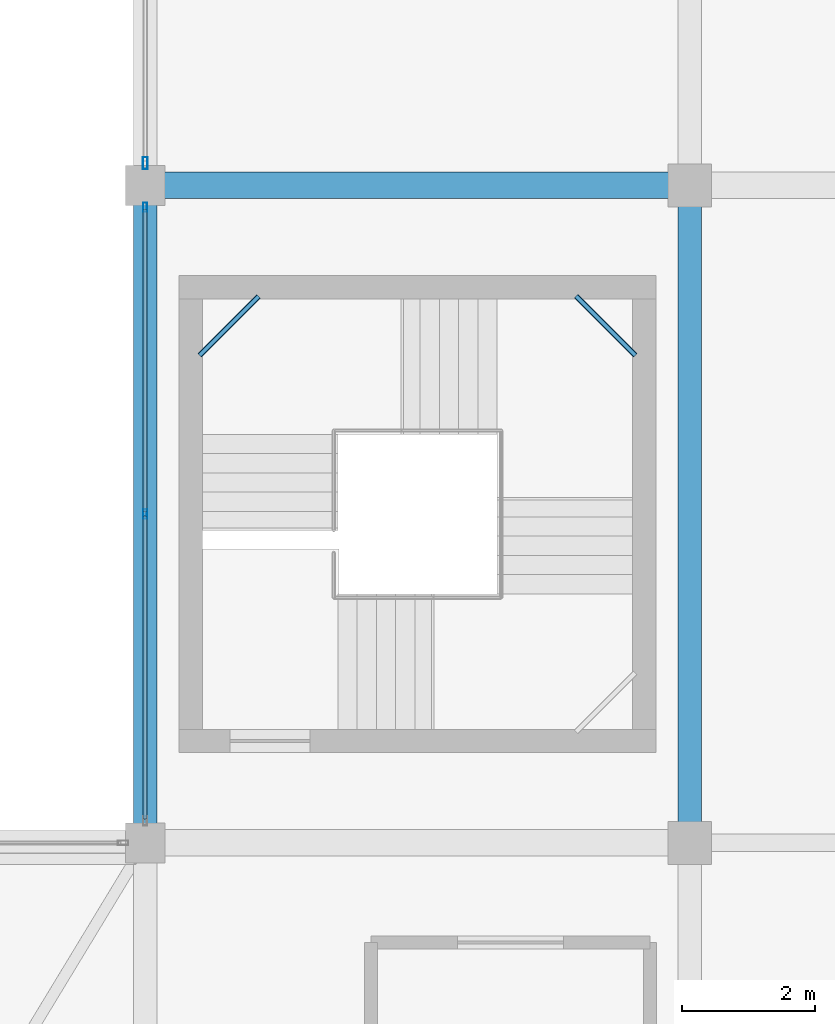
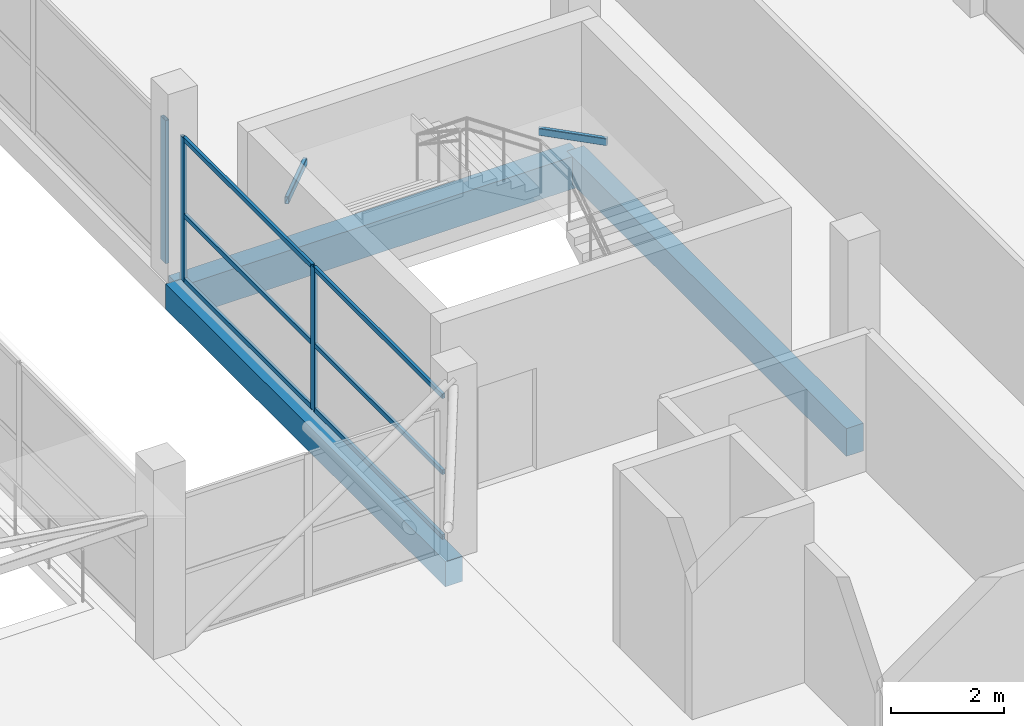
# One storey, part 35 of 66: 9 members, 5 beams, 2 elements without a shape of their own.
"""IFC4 building model written with IfcOpenShell, lengths in metres."""

from ifc_helpers import new_model, si_unit, direction, frame, origin, origin_2d, place, context, subcontext, project, spatial, rectangle, hollow_rectangle, extrude, material, layer, layer_set, material_profile, profile_set, type_object, element, aggregate, save


model = new_model("IFC4")

# Units and contexts
model_context = context("Model", 3, precision=1e-05, world=origin(), true_north=direction((0.0, 1.0)))
body_context = subcontext(model_context, "Body", "Model", "MODEL_VIEW")
ifc_project = project(units=[si_unit("LENGTHUNIT", "METRE"), si_unit("AREAUNIT", "SQUARE_METRE"), si_unit("VOLUMEUNIT", "CUBIC_METRE"), si_unit("PLANEANGLEUNIT", "RADIAN"), si_unit("MASSUNIT", "GRAM", prefix="KILO")], contexts=[model_context])

# Site, building, storey
site_placement = place(None, origin())
site = spatial("IfcSite", under=ifc_project, at=site_placement, CompositionType="ELEMENT")
building_placement = place(site_placement, origin())
building = spatial("IfcBuilding", under=site, at=building_placement, Name="Sillaruma Civic Art Gallery", CompositionType="ELEMENT")
storey_placement = place(building_placement, frame((0.0, 0.0, 62.219970703125)))
storey = spatial("IfcBuildingStorey", under=building, at=storey_placement, Name="L12", CompositionType="ELEMENT", Elevation=62.219970703125)

# Beams
ifc_material_1 = material(Name="Concrete H35 (35 MPa)", Category="concrete")
ifc_material_profile_1 = material_profile(ifc_material_1, rectangle(XDim=0.35009765625, YDim=0.60009765625, at=origin_2d()), Name="RCB350x600")
ifc_profile_set_1 = profile_set([ifc_material_profile_1], Name="Concrete H35 (35 MPa)")
beam_type_1 = type_object("IfcBeamType", Name="BM-BEAM-RCB350x600", PredefinedType="BEAM", material=ifc_profile_set_1)
beam_1_placement = place(storey_placement, frame((106.199951171875, 49.5, -0.530029296875), z_axis=(0.0, 1.0, 0.0), x_axis=(-1.0, 0.0, 0.0)))
element("IfcBeam", 1, at=beam_1_placement, inside=storey, type_object=beam_type_1, Name="Beam BM-06 (L11:M:6-7)", PredefinedType="BEAM", context=body_context, shape_type="SweptSolid", body=[
    extrude(rectangle(XDim=0.35009765625, YDim=0.60009765625, at=origin_2d()), origin(), (0.0, 0.0, 1.0), 9.89990234375),
])
ifc_material_profile_2 = material_profile(ifc_material_1, rectangle(XDim=0.39990234375, YDim=0.699951171875, at=origin_2d()), Name="RCB400x700")
ifc_profile_set_2 = profile_set([ifc_material_profile_2], Name="Concrete H35 (35 MPa)")
beam_type_2 = type_object("IfcBeamType", Name="BM-BEAM-RCB400x700", PredefinedType="BEAM", material=ifc_profile_set_2)
beam_2_placement = place(storey_placement, frame((98.0, 59.39990234375, -0.580078125), z_axis=(1.0, 0.0, 0.0), x_axis=(0.0, 1.0, 0.0)))
element("IfcBeam", 2, at=beam_2_placement, inside=storey, type_object=beam_type_2, Name="Beam BM-04 (L11:7:L-M)", PredefinedType="BEAM", context=body_context, shape_type="SweptSolid", body=[
    extrude(rectangle(XDim=0.39990234375, YDim=0.699951171875, at=origin_2d()), origin(), (0.0, 0.0, 1.0), 8.199951171875),
])
ifc_material_2 = material(Name="Structural Steel ASTM A500 Gr.C", Category="steel")
ifc_material_profile_3 = material_profile(ifc_material_2, hollow_rectangle(XDim=0.080078125, YDim=0.159912109375, WallThickness=0.008056640625, InnerFilletRadius=0.008056640625, OuterFilletRadius=0.01611328125, at=origin_2d()), Name="HSS160x80x8")
ifc_profile_set_3 = profile_set([ifc_material_profile_3], Name="Structural Steel ASTM A500 Gr.C")
beam_type_3 = type_object("IfcBeamType", Name="BM-LND-HSS160", PredefinedType="BEAM", material=ifc_profile_set_3)
for number, where, z_axis, x_axis, name in (
    (3, (104.489990234375, 57.72998046875, 1.760009765625), (0.707106781187, -0.707106781187, 0.0), (0.707106781187, 0.707106781187, 0.0), "Stair Corner Landing Trimmer Beam (ST-04-L12-2)"),
    (4, (98.820068359375, 56.840087890625, 2.780029296875), (0.707106781187, 0.707106781187, 0.0), (-0.707106781187, 0.707106781187, 0.0), "Stair Corner Landing Trimmer Beam (ST-04-L12-3)"),
):
    element("IfcBeam", number, at=place(storey_placement, frame(where, z_axis=z_axis, x_axis=x_axis)), inside=storey, type_object=beam_type_3, Name=name, PredefinedType="BEAM", context=body_context, shape_type="SweptSolid", body=[
        extrude(hollow_rectangle(XDim=0.080078125, YDim=0.159912109375, WallThickness=0.008056640625, InnerFilletRadius=0.008056640625, OuterFilletRadius=0.01611328125, at=origin_2d()), origin(), (0.0, 0.0, 1.0), 1.258544921875),
    ])
ifc_material_profile_4 = material_profile(ifc_material_1, rectangle(XDim=0.35009765625, YDim=0.550048828125, at=origin_2d()), Name="RCB350x550")
ifc_profile_set_4 = profile_set([ifc_material_profile_4], Name="Concrete H35 (35 MPa)")
beam_type_4 = type_object("IfcBeamType", Name="BM-SPANDREL-RCB350x550", PredefinedType="SPANDREL", material=ifc_profile_set_4)
beam_3_placement = place(storey_placement, frame((98.0, 49.5, -0.5048828125), z_axis=(0.0, 1.0, 0.0), x_axis=(-1.0, 0.0, 0.0)))
element("IfcBeam", 5, at=beam_3_placement, inside=storey, type_object=beam_type_4, Name="Beam BS-04 (L11:L:6-7)", PredefinedType="SPANDREL", context=body_context, shape_type="SweptSolid", body=[
    extrude(rectangle(XDim=0.35009765625, YDim=0.550048828125, at=origin_2d()), origin(), (0.0, 0.0, 1.0), 9.89990234375),
])

# Curtain wall, members
ifc_material_3 = material(Name="Thermally Broken Extruded Aluminium 6063-T6", Category="aluminium")
ifc_layer_1 = layer(ifc_material_3, 0.139892578125, Name="Thermally Broken Extruded Aluminium 6063-T6")
ifc_layer_set_1 = layer_set([ifc_layer_1], Name="Thermally Broken Extruded Aluminium 6063-T6")
curtain_wall_type_1 = type_object("IfcCurtainWallType", Name="CW-UNI-98", PredefinedType="NOTDEFINED", material=ifc_layer_set_1)
curtain_wall_1_placement = place(storey_placement, origin())
curtain_wall_1 = element("IfcCurtainWall", 6, at=curtain_wall_1_placement, inside=storey, type_object=curtain_wall_type_1, Name="Unitised Curtain Wall CW-98 (CW-L12-EBW-4)", PredefinedType="NOTDEFINED")
ifc_material_profile_5 = material_profile(ifc_material_3, hollow_rectangle(XDim=0.06005859375, YDim=0.139892578125, WallThickness=0.00341796875, at=origin_2d()), Name="CWM60x140")
ifc_profile_set_5 = profile_set([ifc_material_profile_5], Name="Thermally Broken Extruded Aluminium 6063-T6")
member_type_1 = type_object("IfcMemberType", Name="MEM-MUL-CWM60x140", PredefinedType="MULLION", material=ifc_profile_set_5)
member_1_placement = place(storey_placement, frame((98.0, 54.449951171875, 0.0), z_axis=(0.0, 0.0, 1.0), x_axis=(-1.0, 0.0, 0.0)))
member_1 = element("IfcMember", 7, at=member_1_placement, type_object=member_type_1, Name="CW-98 mullion 2", PredefinedType="MULLION", context=body_context, shape_type="SweptSolid", body=[
    extrude(hollow_rectangle(XDim=0.06005859375, YDim=0.139892578125, WallThickness=0.00341796875, at=origin_2d()), origin(), (0.0, 0.0, 1.0), 3.10009765625),
])
member_2_placement = place(storey_placement, frame((98.0, 59.070068359375, 0.0), z_axis=(0.0, 0.0, 1.0), x_axis=(-1.0, 0.0, 0.0)))
member_2 = element("IfcMember", 8, at=member_2_placement, type_object=member_type_1, Name="CW-98 mullion 3", PredefinedType="MULLION", context=body_context, shape_type="SweptSolid", body=[
    extrude(hollow_rectangle(XDim=0.06005859375, YDim=0.139892578125, WallThickness=0.00341796875, at=origin_2d()), origin(), (0.0, 0.0, 1.0), 3.10009765625),
])

# Curtain wall, member
ifc_layer_2 = layer(ifc_material_3, 0.179931640625, Name="Thermally Broken Extruded Aluminium 6063-T6")
ifc_layer_set_2 = layer_set([ifc_layer_2], Name="Thermally Broken Extruded Aluminium 6063-T6")
curtain_wall_type_2 = type_object("IfcCurtainWallType", Name="CW-UNI-100", PredefinedType="NOTDEFINED", material=ifc_layer_set_2)
curtain_wall_2_placement = place(storey_placement, origin())
curtain_wall_2 = element("IfcCurtainWall", 9, at=curtain_wall_2_placement, inside=storey, type_object=curtain_wall_type_2, Name="Unitised Curtain Wall CW-100 (CW-L12-EBW-5)", PredefinedType="NOTDEFINED")
ifc_material_profile_6 = material_profile(ifc_material_3, hollow_rectangle(XDim=0.070068359375, YDim=0.179931640625, WallThickness=0.00390625, at=origin_2d()), Name="CWM70x180")
ifc_profile_set_6 = profile_set([ifc_material_profile_6], Name="Thermally Broken Extruded Aluminium 6063-T6")
member_type_2 = type_object("IfcMemberType", Name="MEM-MUL-CWM70x180", PredefinedType="MULLION", material=ifc_profile_set_6)
member_3_placement = place(storey_placement, frame((98.0, 59.735107421875, 0.0), z_axis=(0.0, 0.0, 1.0), x_axis=(-1.0, 0.0, 0.0)))
member_3 = element("IfcMember", 10, at=member_3_placement, type_object=member_type_2, Name="CW-100 mullion 1", PredefinedType="MULLION", context=body_context, shape_type="SweptSolid", body=[
    extrude(hollow_rectangle(XDim=0.070068359375, YDim=0.179931640625, WallThickness=0.00390625, at=origin_2d()), origin(), (0.0, 0.0, 1.0), 3.10009765625),
])
aggregate(curtain_wall_2, [member_3])

# Member
ifc_material_profile_7 = material_profile(ifc_material_3, hollow_rectangle(XDim=0.06005859375, YDim=0.10009765625, WallThickness=0.003173828125, at=origin_2d()), Name="CWT60x100")
ifc_profile_set_7 = profile_set([ifc_material_profile_7], Name="Thermally Broken Extruded Aluminium 6063-T6")
member_type_3 = type_object("IfcMemberType", Name="MEM-TRN-CWT60x100", PredefinedType="USERDEFINED", material=ifc_profile_set_7)
member_4_placement = place(storey_placement, frame((98.0, 49.860107421875, 0.030029296875), z_axis=(0.0, 1.0, 0.0), x_axis=(-1.0, 0.0, 0.0)))
member_4 = element("IfcMember", 11, at=member_4_placement, type_object=member_type_3, Name="CW-98 transom 1.1", ObjectType="TRANSOM", PredefinedType="USERDEFINED", context=body_context, shape_type="SweptSolid", body=[
    extrude(hollow_rectangle(XDim=0.06005859375, YDim=0.10009765625, WallThickness=0.003173828125, at=origin_2d()), origin(), (0.0, 0.0, 1.0), 4.559814453125),
])

member_5_placement = place(storey_placement, frame((98.0, 49.860107421875, 1.426025390625), z_axis=(0.0, 1.0, 0.0), x_axis=(-1.0, 0.0, 0.0)))
member_5 = element("IfcMember", 12, at=member_5_placement, type_object=member_type_3, Name="CW-98 transom 1.2", ObjectType="TRANSOM", PredefinedType="USERDEFINED", context=body_context, shape_type="SweptSolid", body=[
    extrude(hollow_rectangle(XDim=0.06005859375, YDim=0.10009765625, WallThickness=0.003173828125, at=origin_2d()), origin(), (0.0, 0.0, 1.0), 4.559814453125),
])

member_6_placement = place(storey_placement, frame((98.0, 49.860107421875, 3.070068359375), z_axis=(0.0, 1.0, 0.0), x_axis=(-1.0, 0.0, 0.0)))
member_6 = element("IfcMember", 13, at=member_6_placement, type_object=member_type_3, Name="CW-98 transom 1.3", ObjectType="TRANSOM", PredefinedType="USERDEFINED", context=body_context, shape_type="SweptSolid", body=[
    extrude(hollow_rectangle(XDim=0.06005859375, YDim=0.10009765625, WallThickness=0.003173828125, at=origin_2d()), origin(), (0.0, 0.0, 1.0), 4.559814453125),
])

member_7_placement = place(storey_placement, frame((98.0, 54.47998046875, 0.030029296875), z_axis=(0.0, 1.0, 0.0), x_axis=(-1.0, 0.0, 0.0)))
member_7 = element("IfcMember", 14, at=member_7_placement, type_object=member_type_3, Name="CW-98 transom 2.1", ObjectType="TRANSOM", PredefinedType="USERDEFINED", context=body_context, shape_type="SweptSolid", body=[
    extrude(hollow_rectangle(XDim=0.06005859375, YDim=0.10009765625, WallThickness=0.003173828125, at=origin_2d()), origin(), (0.0, 0.0, 1.0), 4.56005859375),
])

member_8_placement = place(storey_placement, frame((98.0, 54.47998046875, 1.426025390625), z_axis=(0.0, 1.0, 0.0), x_axis=(-1.0, 0.0, 0.0)))
member_8 = element("IfcMember", 15, at=member_8_placement, type_object=member_type_3, Name="CW-98 transom 2.2", ObjectType="TRANSOM", PredefinedType="USERDEFINED", context=body_context, shape_type="SweptSolid", body=[
    extrude(hollow_rectangle(XDim=0.06005859375, YDim=0.10009765625, WallThickness=0.003173828125, at=origin_2d()), origin(), (0.0, 0.0, 1.0), 4.56005859375),
])

member_9_placement = place(storey_placement, frame((98.0, 54.47998046875, 3.070068359375), z_axis=(0.0, 1.0, 0.0), x_axis=(-1.0, 0.0, 0.0)))
member_9 = element("IfcMember", 16, at=member_9_placement, type_object=member_type_3, Name="CW-98 transom 2.3", ObjectType="TRANSOM", PredefinedType="USERDEFINED", context=body_context, shape_type="SweptSolid", body=[
    extrude(hollow_rectangle(XDim=0.06005859375, YDim=0.10009765625, WallThickness=0.003173828125, at=origin_2d()), origin(), (0.0, 0.0, 1.0), 4.56005859375),
])

aggregate(curtain_wall_1, [member_1, member_2, member_4, member_5, member_6, member_7, member_8, member_9])

save(model, "model.ifc")
